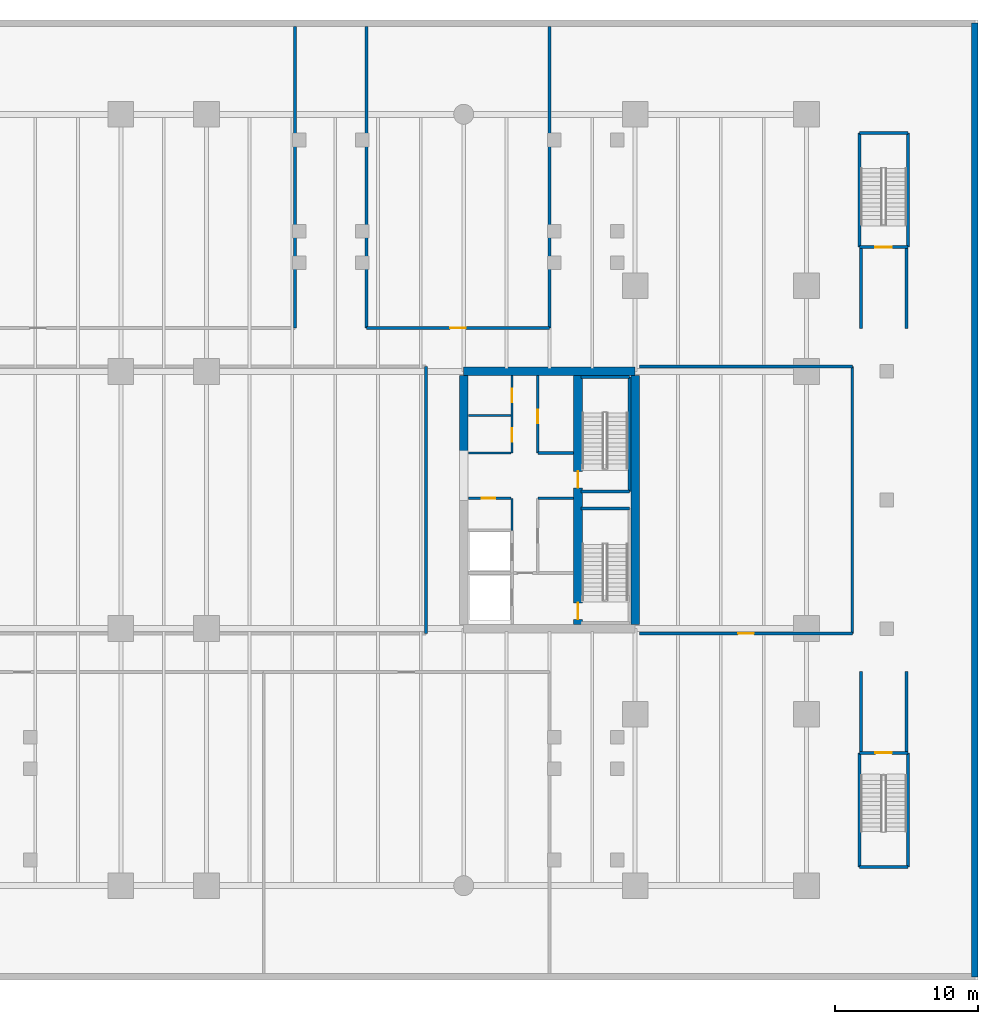
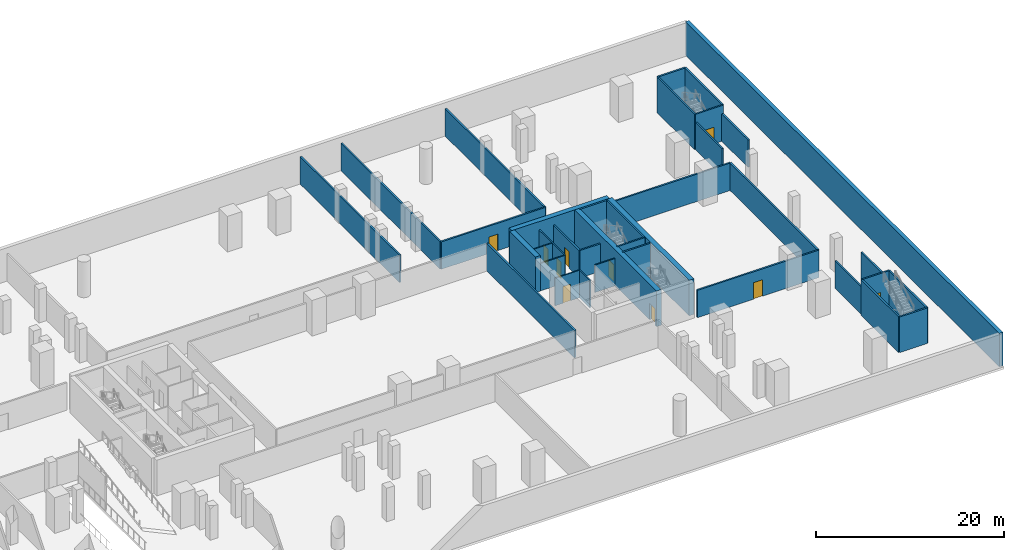
# One storey, part 8 of 13: 37 walls, 10 doors, 10 openings.
"""IFC4 building model written with IfcOpenShell, lengths in metres."""

from ifc_helpers import new_model, si_unit, direction, frame, frame_2d, origin, place, context, subcontext, project, spatial, rectangle, extrude, material, layer, layer_set, type_object, element, fill, save


model = new_model("IFC4")

# Units and contexts
model_context = context("Model", 3, precision=1e-05, world=origin(), true_north=direction((0.0, 1.0)))
body_context = subcontext(model_context, "Body", "Model", "MODEL_VIEW")
ifc_project = project(units=[si_unit("LENGTHUNIT", "METRE"), si_unit("AREAUNIT", "SQUARE_METRE"), si_unit("VOLUMEUNIT", "CUBIC_METRE"), si_unit("PLANEANGLEUNIT", "RADIAN"), si_unit("MASSUNIT", "GRAM", prefix="KILO")], contexts=[model_context])

# Site, building, storey
site_placement = place(None, origin())
site = spatial("IfcSite", under=ifc_project, at=site_placement, CompositionType="ELEMENT")
building_placement = place(site_placement, origin())
building = spatial("IfcBuilding", under=site, at=building_placement, Name="Tanjung Sevakor Pilgrim Tower", CompositionType="ELEMENT")
storey_placement = place(building_placement, frame((0.0, 0.0, -4.6201171875)))
storey = spatial("IfcBuildingStorey", under=building, at=storey_placement, Name="B01", CompositionType="ELEMENT", Elevation=-4.6201171875)

# Walls
ifc_material_1 = material(Name="Concrete C60/75", Category="concrete")
ifc_layer_1 = layer(ifc_material_1, 0.60009765625)
ifc_layer_set_1 = layer_set([ifc_layer_1], Name="WALL-CW-600B")
wall_type_1 = type_object("IfcWallType", Name="WALL-CW-600B", PredefinedType="SHEAR", material=ifc_layer_set_1)
wall_1_placement = place(storey_placement, frame((90.0, 42.60009765625, 0.0), z_axis=(0.0, 0.0, 1.0), x_axis=(-1.0, 0.0, 0.0)))
element("IfcWall", 1, at=wall_1_placement, inside=storey, type_object=wall_type_1, Name="B01 E Core North Shear Wall", PredefinedType="SHEAR", context=body_context, shape_type="SweptSolid", body=[
    extrude(rectangle(XDim=12.0, YDim=0.60009765625, at=frame_2d((6.0, 0.0))), origin(), (0.0, 0.0, 1.0), 4.6201171875),
])
wall_2_placement = place(storey_placement, frame((90.0, 24.89990234375, 0.0), z_axis=(0.0, 0.0, 1.0), x_axis=(0.0, 1.0, 0.0)))
element("IfcWall", 2, at=wall_2_placement, inside=storey, type_object=wall_type_1, Name="B01 E Core Outer Shear Wall", PredefinedType="SHEAR", context=body_context, shape_type="SweptSolid", body=[
    extrude(rectangle(XDim=17.400146484375, YDim=0.60009765625, at=frame_2d((8.7001953125, 0.0))), origin(), (0.0, 0.0, 1.0), 4.6201171875),
])
wall_3_placement = place(storey_placement, frame((78.0, 36.800048828125, 0.0), z_axis=(0.0, 0.0, 1.0), x_axis=(0.0, 1.0, 0.0)))
element("IfcWall", 3, at=wall_3_placement, inside=storey, type_object=wall_type_1, Name="B01 E Core Inner Shear Wall North", PredefinedType="SHEAR", context=body_context, shape_type="SweptSolid", body=[
    extrude(rectangle(XDim=5.5, YDim=0.60009765625, at=frame_2d((2.75, 0.0))), origin(), (0.0, 0.0, 1.0), 4.6201171875),
])

# Wall, openings, doors
wall_4_placement = place(storey_placement, frame((86.0, 24.89990234375, 0.0), z_axis=(0.0, 0.0, 1.0), x_axis=(0.0, 1.0, 0.0)))
wall_4 = element("IfcWall", 4, at=wall_4_placement, inside=storey, type_object=wall_type_1, Name="B01 E Core Stair Spine Wall", PredefinedType="SHEAR", context=body_context, shape_type="SweptSolid", body=[
    extrude(rectangle(XDim=17.400146484375, YDim=0.60009765625, at=frame_2d((8.7001953125, 0.0))), origin(), (0.0, 0.0, 1.0), 4.6201171875),
])
opening_1_placement = place(wall_4_placement, frame((0.35009765625, 0.0, 0.0)))
opening_1 = element("IfcOpeningElement", 5, at=opening_1_placement, cuts=wall_4, Name="Opening ID-ST1", PredefinedType="OPENING", context=body_context, shape_type="SweptSolid", body=[
    extrude(rectangle(XDim=1.14990234375, YDim=2.14990234375, at=frame_2d((0.574951171875, 1.074951171875))), frame((0.0, 0.31005859375, 0.0), z_axis=(0.0, -1.0, 0.0), x_axis=(1.0, 0.0, 0.0)), (0.0, 0.0, 1.0), 0.6201171875),
])
opening_2_placement = place(wall_4_placement, frame((9.550048828125, 0.0, 0.0)))
opening_2 = element("IfcOpeningElement", 6, at=opening_2_placement, cuts=wall_4, Name="Opening ID-ST1", PredefinedType="OPENING", context=body_context, shape_type="SweptSolid", body=[
    extrude(rectangle(XDim=1.14990234375, YDim=2.14990234375, at=frame_2d((0.574951171875, 1.074951171875))), frame((0.0, 0.31005859375, 0.0), z_axis=(0.0, -1.0, 0.0), x_axis=(1.0, 0.0, 0.0)), (0.0, 0.0, 1.0), 0.6201171875),
])
ifc_material_2 = material(Name="Fire-Rated Steel S355J2", Category="steel")
door_type_1 = type_object("IfcDoorType", Name="DT-FIRE-1150", OperationType="NOTDEFINED", PredefinedType="DOOR", material=ifc_material_2)
door_1_placement = place(opening_1_placement, origin())
door_1 = element("IfcDoor", 7, at=door_1_placement, inside=storey, type_object=door_type_1, Name="B01 TS-E1 Stair Fire Door", OperationType="SINGLE_SWING_RIGHT", OverallHeight=2.14990234375, OverallWidth=1.14990234375, PredefinedType="DOOR", context=body_context, shape_type="SweptSolid", body=[
    extrude(rectangle(XDim=1.14990234375, YDim=2.14990234375, at=frame_2d((0.574951171875, 1.074951171875))), frame((0.0, 0.02490234375, 0.0), z_axis=(0.0, -1.0, 0.0), x_axis=(1.0, 0.0, 0.0)), (0.0, 0.0, 1.0), 0.050048828125),
])
fill(opening_1, door_1)
door_2_placement = place(opening_2_placement, origin())
door_2 = element("IfcDoor", 8, at=door_2_placement, inside=storey, type_object=door_type_1, Name="B01 TS-E2 Stair Fire Door", OperationType="SINGLE_SWING_LEFT", OverallHeight=2.14990234375, OverallWidth=1.14990234375, PredefinedType="DOOR", context=body_context, shape_type="SweptSolid", body=[
    extrude(rectangle(XDim=1.14990234375, YDim=2.14990234375, at=frame_2d((0.574951171875, 1.074951171875))), frame((0.0, 0.02490234375, 0.0), z_axis=(0.0, -1.0, 0.0), x_axis=(1.0, 0.0, 0.0)), (0.0, 0.0, 1.0), 0.050048828125),
])
fill(opening_2, door_2)

# Walls
ifc_material_3 = material(Name="Concrete C40/50", Category="concrete")
ifc_layer_2 = layer(ifc_material_3, 0.14990234375)
ifc_layer_set_2 = layer_set([ifc_layer_2], Name="WT-COMP-150")
wall_type_2 = type_object("IfcWallType", Name="WT-COMP-150", PredefinedType="SOLIDWALL", material=ifc_layer_set_2)
wall_5_placement = place(storey_placement, frame((83.199951171875, 33.719970703125, 0.0), z_axis=(0.0, 0.0, 1.0), x_axis=(1.0, 0.0, 0.0)))
element("IfcWall", 9, at=wall_5_placement, inside=storey, type_object=wall_type_2, Name="B01 Partition IW-B01-016", PredefinedType="SOLIDWALL", context=body_context, shape_type="SweptSolid", body=[
    extrude(rectangle(XDim=2.47998046875, YDim=0.14990234375, at=frame_2d((1.239990234375, 0.0))), origin(), (0.0, 0.0, 1.0), 3.56005859375),
])
wall_6_placement = place(storey_placement, frame((81.3798828125, 31.47998046875, 0.0), z_axis=(0.0, 0.0, 1.0), x_axis=(0.0, 1.0, 0.0)))
element("IfcWall", 10, at=wall_6_placement, inside=storey, type_object=wall_type_2, Name="B01 Partition IW-B01-020", PredefinedType="SOLIDWALL", context=body_context, shape_type="SweptSolid", body=[
    extrude(rectangle(XDim=2.239990234375, YDim=0.14990234375, at=frame_2d((1.1201171875, 0.0))), origin(), (0.0, 0.0, 1.0), 3.56005859375),
])

# Wall, opening, door
wall_7_placement = place(storey_placement, frame((78.320068359375, 33.719970703125, 0.0), z_axis=(0.0, 0.0, 1.0), x_axis=(1.0, 0.0, 0.0)))
wall_7 = element("IfcWall", 11, at=wall_7_placement, inside=storey, type_object=wall_type_2, Name="B01 Partition IW-B01-021", PredefinedType="SOLIDWALL", context=body_context, shape_type="SweptSolid", body=[
    extrude(rectangle(XDim=3.0, YDim=0.14990234375, at=frame_2d((1.5, 0.0))), origin(), (0.0, 0.0, 1.0), 3.56005859375),
])
opening_3_placement = place(wall_7_placement, frame((0.949951171875, 0.0, 0.0)))
opening_3 = element("IfcOpeningElement", 12, at=opening_3_placement, cuts=wall_7, Name="Opening ID-FD2", PredefinedType="OPENING", context=body_context, shape_type="SweptSolid", body=[
    extrude(rectangle(XDim=0.949951171875, YDim=2.14990234375, at=frame_2d((0.47509765625, 1.074951171875))), frame((0.0, 0.0849609375, 0.0), z_axis=(0.0, -1.0, 0.0), x_axis=(1.0, 0.0, 0.0)), (0.0, 0.0, 1.0), 0.169921875),
])
ifc_material_4 = material(Name="Fire-Rated Timber", Category="wood")
door_type_2 = type_object("IfcDoorType", Name="DT-FIRE-950", OperationType="NOTDEFINED", PredefinedType="DOOR", material=ifc_material_4)
door_3_placement = place(opening_3_placement, origin())
door_3 = element("IfcDoor", 13, at=door_3_placement, inside=storey, type_object=door_type_2, Name="B01 Accessible WC Door", OperationType="SINGLE_SWING_LEFT", OverallHeight=2.14990234375, OverallWidth=0.949951171875, PredefinedType="DOOR", context=body_context, shape_type="SweptSolid", body=[
    extrude(rectangle(XDim=0.949951171875, YDim=2.14990234375, at=frame_2d((0.47509765625, 1.074951171875))), frame((0.0, 0.02490234375, 0.0), z_axis=(0.0, -1.0, 0.0), x_axis=(1.0, 0.0, 0.0)), (0.0, 0.0, 1.0), 0.050048828125),
])
fill(opening_3, door_3)

# Walls
for number, where, z_axis, x_axis, name in (
    (14, (78.320068359375, 36.8798828125, 0.0), (0.0, 0.0, 1.0), (1.0, 0.0, 0.0), "B01 Partition IW-B01-024"),
    (15, (78.320068359375, 39.52001953125, 0.0), (0.0, 0.0, 1.0), (1.0, 0.0, 0.0), "B01 Partition IW-B01-025"),
):
    element("IfcWall", number, at=place(storey_placement, frame(where, z_axis=z_axis, x_axis=x_axis)), inside=storey, type_object=wall_type_2, Name=name, PredefinedType="SOLIDWALL", context=body_context, shape_type="SweptSolid", body=[
        extrude(rectangle(XDim=3.0, YDim=0.14990234375, at=frame_2d((1.5, 0.0))), origin(), (0.0, 0.0, 1.0), 3.56005859375),
    ])

# Wall, openings, doors
wall_8_placement = place(storey_placement, frame((81.3798828125, 36.8798828125, 0.0), z_axis=(0.0, 0.0, 1.0), x_axis=(0.0, 1.0, 0.0)))
wall_8 = element("IfcWall", 16, at=wall_8_placement, inside=storey, type_object=wall_type_2, Name="B01 Partition IW-B01-026", PredefinedType="SOLIDWALL", context=body_context, shape_type="SweptSolid", body=[
    extrude(rectangle(XDim=5.420166015625, YDim=0.14990234375, at=frame_2d((2.7099609375, 0.0))), origin(), (0.0, 0.0, 1.0), 3.56005859375),
])
opening_4_placement = place(wall_8_placement, frame((0.800048828125, 0.0, 0.0)))
opening_4 = element("IfcOpeningElement", 17, at=opening_4_placement, cuts=wall_8, Name="Opening ID-FD2", PredefinedType="OPENING", context=body_context, shape_type="SweptSolid", body=[
    extrude(rectangle(XDim=0.949951171875, YDim=2.14990234375, at=frame_2d((0.47509765625, 1.074951171875))), frame((0.0, 0.0849609375, 0.0), z_axis=(0.0, -1.0, 0.0), x_axis=(1.0, 0.0, 0.0)), (0.0, 0.0, 1.0), 0.169921875),
])
opening_5_placement = place(wall_8_placement, frame((3.550048828125, 0.0, 0.0)))
opening_5 = element("IfcOpeningElement", 18, at=opening_5_placement, cuts=wall_8, Name="Opening ID-FD2", PredefinedType="OPENING", context=body_context, shape_type="SweptSolid", body=[
    extrude(rectangle(XDim=0.949951171875, YDim=2.14990234375, at=frame_2d((0.47509765625, 1.074951171875))), frame((0.0, 0.0849609375, 0.0), z_axis=(0.0, -1.0, 0.0), x_axis=(1.0, 0.0, 0.0)), (0.0, 0.0, 1.0), 0.169921875),
])
door_4_placement = place(opening_4_placement, origin())
door_4 = element("IfcDoor", 19, at=door_4_placement, inside=storey, type_object=door_type_2, Name="B01 Public Male WC Door", OperationType="SINGLE_SWING_LEFT", OverallHeight=2.14990234375, OverallWidth=0.949951171875, PredefinedType="DOOR", context=body_context, shape_type="SweptSolid", body=[
    extrude(rectangle(XDim=0.949951171875, YDim=2.14990234375, at=frame_2d((0.47509765625, 1.074951171875))), frame((0.0, 0.02490234375, 0.0), z_axis=(0.0, -1.0, 0.0), x_axis=(1.0, 0.0, 0.0)), (0.0, 0.0, 1.0), 0.050048828125),
])
fill(opening_4, door_4)
door_5_placement = place(opening_5_placement, origin())
door_5 = element("IfcDoor", 20, at=door_5_placement, inside=storey, type_object=door_type_2, Name="B01 Public Female WC Door", OperationType="SINGLE_SWING_RIGHT", OverallHeight=2.14990234375, OverallWidth=0.949951171875, PredefinedType="DOOR", context=body_context, shape_type="SweptSolid", body=[
    extrude(rectangle(XDim=0.949951171875, YDim=2.14990234375, at=frame_2d((0.47509765625, 1.074951171875))), frame((0.0, 0.02490234375, 0.0), z_axis=(0.0, -1.0, 0.0), x_axis=(1.0, 0.0, 0.0)), (0.0, 0.0, 1.0), 0.050048828125),
])
fill(opening_5, door_5)

# Walls
ifc_material_5 = material(Name="Concrete C40/50", Category="concrete")
ifc_layer_3 = layer(ifc_material_5, 0.199951171875)
ifc_layer_set_3 = layer_set([ifc_layer_3], Name="WT-FIRE-200")
wall_type_3 = type_object("IfcWallType", Name="WT-FIRE-200", PredefinedType="SOLIDWALL", material=ifc_layer_set_3)
for number, where, z_axis, x_axis, name in (
    (21, (89.60009765625, 33.0, 0.0), (0.0, 0.0, 1.0), (-1.0, 0.0, 0.0), "B01 TS-E1 Shaft Wall 3"),
    (22, (86.199951171875, 34.199951171875, 0.0), (0.0, 0.0, 1.0), (1.0, 0.0, 0.0), "B01 TS-E2 Shaft Wall 1"),
):
    element("IfcWall", number, at=place(storey_placement, frame(where, z_axis=z_axis, x_axis=x_axis)), inside=storey, type_object=wall_type_3, Name=name, PredefinedType="SOLIDWALL", context=body_context, shape_type="SweptSolid", body=[
        extrude(rectangle(XDim=3.400146484375, YDim=0.199951171875, at=frame_2d((1.7001953125, 0.0))), origin(), (0.0, 0.0, 1.0), 4.6201171875),
    ])
wall_9_placement = place(storey_placement, frame((89.60009765625, 34.199951171875, 0.0), z_axis=(0.0, 0.0, 1.0), x_axis=(0.0, 1.0, 0.0)))
element("IfcWall", 23, at=wall_9_placement, inside=storey, type_object=wall_type_3, Name="B01 TS-E2 Shaft Wall 2", PredefinedType="SOLIDWALL", context=body_context, shape_type="SweptSolid", body=[
    extrude(rectangle(XDim=8.0, YDim=0.199951171875, at=frame_2d((4.0, 0.0))), origin(), (0.0, 0.0, 1.0), 4.6201171875),
])
for number, where, z_axis, x_axis, name in (
    (24, (89.60009765625, 42.199951171875, 0.0), (0.0, 0.0, 1.0), (-1.0, 0.0, 0.0), "B01 TS-E2 Shaft Wall 3"),
    (25, (105.699951171875, 7.89990234375, 0.0), (0.0, 0.0, 1.0), (1.0, 0.0, 0.0), "B01 BS-3 Shaft Wall 1"),
):
    element("IfcWall", number, at=place(storey_placement, frame(where, z_axis=z_axis, x_axis=x_axis)), inside=storey, type_object=wall_type_3, Name=name, PredefinedType="SOLIDWALL", context=body_context, shape_type="SweptSolid", body=[
        extrude(rectangle(XDim=3.400146484375, YDim=0.199951171875, at=frame_2d((1.7001953125, 0.0))), origin(), (0.0, 0.0, 1.0), 4.6201171875),
    ])
wall_10_placement = place(storey_placement, frame((109.10009765625, 7.89990234375, 0.0), z_axis=(0.0, 0.0, 1.0), x_axis=(0.0, 1.0, 0.0)))
element("IfcWall", 26, at=wall_10_placement, inside=storey, type_object=wall_type_3, Name="B01 BS-3 Shaft Wall 2", PredefinedType="SOLIDWALL", context=body_context, shape_type="SweptSolid", body=[
    extrude(rectangle(XDim=8.0, YDim=0.199951171875, at=frame_2d((4.0, 0.0))), origin(), (0.0, 0.0, 1.0), 4.6201171875),
])

# Wall, opening, door
wall_11_placement = place(storey_placement, frame((109.10009765625, 15.89990234375, 0.0), z_axis=(0.0, 0.0, 1.0), x_axis=(-1.0, 0.0, 0.0)))
wall_11 = element("IfcWall", 27, at=wall_11_placement, inside=storey, type_object=wall_type_3, Name="B01 BS-3 Shaft Wall 3", PredefinedType="SOLIDWALL", context=body_context, shape_type="SweptSolid", body=[
    extrude(rectangle(XDim=3.400146484375, YDim=0.199951171875, at=frame_2d((1.7001953125, 0.0))), origin(), (0.0, 0.0, 1.0), 4.6201171875),
])
opening_6_placement = place(wall_11_placement, frame((1.125, 0.0, 0.0)))
opening_6 = element("IfcOpeningElement", 28, at=opening_6_placement, cuts=wall_11, Name="Opening ID-ST1", PredefinedType="OPENING", context=body_context, shape_type="SweptSolid", body=[
    extrude(rectangle(XDim=1.14990234375, YDim=2.14990234375, at=frame_2d((0.574951171875, 1.074951171875))), frame((0.0, 0.10986328125, 0.0), z_axis=(0.0, -1.0, 0.0), x_axis=(1.0, 0.0, 0.0)), (0.0, 0.0, 1.0), 0.219970703125),
])
door_6_placement = place(opening_6_placement, origin())
door_6 = element("IfcDoor", 29, at=door_6_placement, inside=storey, type_object=door_type_1, Name="B01 BS-3 Stair Entry Fire Door", OperationType="SINGLE_SWING_RIGHT", OverallHeight=2.14990234375, OverallWidth=1.14990234375, PredefinedType="DOOR", context=body_context, shape_type="SweptSolid", body=[
    extrude(rectangle(XDim=1.14990234375, YDim=2.14990234375, at=frame_2d((0.574951171875, 1.074951171875))), frame((0.0, 0.02490234375, 0.0), z_axis=(0.0, -1.0, 0.0), x_axis=(1.0, 0.0, 0.0)), (0.0, 0.0, 1.0), 0.050048828125),
])
fill(opening_6, door_6)

# Wall
wall_12_placement = place(storey_placement, frame((105.699951171875, 15.89990234375, 0.0), z_axis=(0.0, 0.0, 1.0), x_axis=(0.0, -1.0, 0.0)))
element("IfcWall", 30, at=wall_12_placement, inside=storey, type_object=wall_type_3, Name="B01 BS-3 Shaft Wall 4", PredefinedType="SOLIDWALL", context=body_context, shape_type="SweptSolid", body=[
    extrude(rectangle(XDim=8.0, YDim=0.199951171875, at=frame_2d((4.0, 0.0))), origin(), (0.0, 0.0, 1.0), 4.6201171875),
])

# Wall, opening, door
wall_13_placement = place(storey_placement, frame((105.699951171875, 51.300048828125, 0.0), z_axis=(0.0, 0.0, 1.0), x_axis=(1.0, 0.0, 0.0)))
wall_13 = element("IfcWall", 31, at=wall_13_placement, inside=storey, type_object=wall_type_3, Name="B01 BS-4 Shaft Wall 1", PredefinedType="SOLIDWALL", context=body_context, shape_type="SweptSolid", body=[
    extrude(rectangle(XDim=3.400146484375, YDim=0.199951171875, at=frame_2d((1.7001953125, 0.0))), origin(), (0.0, 0.0, 1.0), 4.6201171875),
])
opening_7_placement = place(wall_13_placement, frame((1.125, 0.0, 0.0)))
opening_7 = element("IfcOpeningElement", 32, at=opening_7_placement, cuts=wall_13, Name="Opening ID-ST1", PredefinedType="OPENING", context=body_context, shape_type="SweptSolid", body=[
    extrude(rectangle(XDim=1.14990234375, YDim=2.14990234375, at=frame_2d((0.574951171875, 1.074951171875))), frame((0.0, 0.10986328125, 0.0), z_axis=(0.0, -1.0, 0.0), x_axis=(1.0, 0.0, 0.0)), (0.0, 0.0, 1.0), 0.219970703125),
])
door_7_placement = place(opening_7_placement, origin())
door_7 = element("IfcDoor", 33, at=door_7_placement, inside=storey, type_object=door_type_1, Name="B01 BS-4 Stair Entry Fire Door", OperationType="SINGLE_SWING_LEFT", OverallHeight=2.14990234375, OverallWidth=1.14990234375, PredefinedType="DOOR", context=body_context, shape_type="SweptSolid", body=[
    extrude(rectangle(XDim=1.14990234375, YDim=2.14990234375, at=frame_2d((0.574951171875, 1.074951171875))), frame((0.0, 0.02490234375, 0.0), z_axis=(0.0, -1.0, 0.0), x_axis=(1.0, 0.0, 0.0)), (0.0, 0.0, 1.0), 0.050048828125),
])
fill(opening_7, door_7)

# Walls
wall_14_placement = place(storey_placement, frame((109.10009765625, 51.300048828125, 0.0), z_axis=(0.0, 0.0, 1.0), x_axis=(0.0, 1.0, 0.0)))
element("IfcWall", 34, at=wall_14_placement, inside=storey, type_object=wall_type_3, Name="B01 BS-4 Shaft Wall 2", PredefinedType="SOLIDWALL", context=body_context, shape_type="SweptSolid", body=[
    extrude(rectangle(XDim=8.0, YDim=0.199951171875, at=frame_2d((4.0, 0.0))), origin(), (0.0, 0.0, 1.0), 4.6201171875),
])
wall_15_placement = place(storey_placement, frame((109.10009765625, 59.300048828125, 0.0), z_axis=(0.0, 0.0, 1.0), x_axis=(-1.0, 0.0, 0.0)))
element("IfcWall", 35, at=wall_15_placement, inside=storey, type_object=wall_type_3, Name="B01 BS-4 Shaft Wall 3", PredefinedType="SOLIDWALL", context=body_context, shape_type="SweptSolid", body=[
    extrude(rectangle(XDim=3.400146484375, YDim=0.199951171875, at=frame_2d((1.7001953125, 0.0))), origin(), (0.0, 0.0, 1.0), 4.6201171875),
])
wall_16_placement = place(storey_placement, frame((105.699951171875, 59.300048828125, 0.0), z_axis=(0.0, 0.0, 1.0), x_axis=(0.0, -1.0, 0.0)))
element("IfcWall", 36, at=wall_16_placement, inside=storey, type_object=wall_type_3, Name="B01 BS-4 Shaft Wall 4", PredefinedType="SOLIDWALL", context=body_context, shape_type="SweptSolid", body=[
    extrude(rectangle(XDim=8.0, YDim=0.199951171875, at=frame_2d((4.0, 0.0))), origin(), (0.0, 0.0, 1.0), 4.6201171875),
])
ifc_material_6 = material(Name="Concrete C40/50", Category="concrete")
ifc_layer_4 = layer(ifc_material_6, 0.199951171875)
ifc_layer_set_4 = layer_set([ifc_layer_4], Name="WT-FPRT-200")
wall_type_4 = type_object("IfcWallType", Name="WT-FPRT-200", PredefinedType="SOLIDWALL", material=ifc_layer_set_4)
wall_17_placement = place(storey_placement, frame((83.199951171875, 36.8798828125, 0.0), z_axis=(0.0, 0.0, 1.0), x_axis=(1.0, 0.0, 0.0)))
element("IfcWall", 37, at=wall_17_placement, inside=storey, type_object=wall_type_4, Name="B01 Partition IW-B01-022", PredefinedType="SOLIDWALL", context=body_context, shape_type="SweptSolid", body=[
    extrude(rectangle(XDim=2.47998046875, YDim=0.199951171875, at=frame_2d((1.239990234375, 0.0))), origin(), (0.0, 0.0, 1.0), 3.56005859375),
])

# Wall, opening, door
wall_18_placement = place(storey_placement, frame((83.179931640625, 36.8798828125, 0.0), z_axis=(0.0, 0.0, 1.0), x_axis=(0.0, 1.0, 0.0)))
wall_18 = element("IfcWall", 38, at=wall_18_placement, inside=storey, type_object=wall_type_4, Name="B01 Partition IW-B01-023", PredefinedType="SOLIDWALL", context=body_context, shape_type="SweptSolid", body=[
    extrude(rectangle(XDim=5.420166015625, YDim=0.199951171875, at=frame_2d((2.7099609375, 0.0))), origin(), (0.0, 0.0, 1.0), 3.56005859375),
])
opening_8_placement = place(wall_18_placement, frame((2.10009765625, 0.0, 0.0)))
opening_8 = element("IfcOpeningElement", 39, at=opening_8_placement, cuts=wall_18, Name="Opening ID-FD2", PredefinedType="OPENING", context=body_context, shape_type="SweptSolid", body=[
    extrude(rectangle(XDim=0.949951171875, YDim=2.14990234375, at=frame_2d((0.47509765625, 1.074951171875))), frame((0.0, 0.10986328125, 0.0), z_axis=(0.0, -1.0, 0.0), x_axis=(1.0, 0.0, 0.0)), (0.0, 0.0, 1.0), 0.219970703125),
])
door_8_placement = place(opening_8_placement, origin())
door_8 = element("IfcDoor", 40, at=door_8_placement, inside=storey, type_object=door_type_2, Name="B01 Electrical Riser Door", OperationType="SINGLE_SWING_RIGHT", OverallHeight=2.14990234375, OverallWidth=0.949951171875, PredefinedType="DOOR", context=body_context, shape_type="SweptSolid", body=[
    extrude(rectangle(XDim=0.949951171875, YDim=2.14990234375, at=frame_2d((0.47509765625, 1.074951171875))), frame((0.0, 0.02490234375, 0.0), z_axis=(0.0, -1.0, 0.0), x_axis=(1.0, 0.0, 0.0)), (0.0, 0.0, 1.0), 0.050048828125),
])
fill(opening_8, door_8)

# Walls
for number, where, z_axis, x_axis, name in (
    (41, (105.800048828125, 15.89990234375, 0.0), (0.0, 0.0, 1.0), (0.0, 1.0, 0.0), "B01 Partition IW-B01-029"),
    (42, (109.0, 15.89990234375, 0.0), (0.0, 0.0, 1.0), (0.0, 1.0, 0.0), "B01 Partition IW-B01-030"),
):
    element("IfcWall", number, at=place(storey_placement, frame(where, z_axis=z_axis, x_axis=x_axis)), inside=storey, type_object=wall_type_4, Name=name, PredefinedType="SOLIDWALL", context=body_context, shape_type="SweptSolid", body=[
        extrude(rectangle(XDim=5.7001953125, YDim=0.199951171875, at=frame_2d((2.85009765625, 0.0))), origin(), (0.0, 0.0, 1.0), 3.56005859375),
    ])
for number, where, z_axis, x_axis, name in (
    (43, (105.800048828125, 45.60009765625, 0.0), (0.0, 0.0, 1.0), (0.0, 1.0, 0.0), "B01 Partition IW-B01-031"),
    (44, (109.0, 45.60009765625, 0.0), (0.0, 0.0, 1.0), (0.0, 1.0, 0.0), "B01 Partition IW-B01-032"),
):
    element("IfcWall", number, at=place(storey_placement, frame(where, z_axis=z_axis, x_axis=x_axis)), inside=storey, type_object=wall_type_4, Name=name, PredefinedType="SOLIDWALL", context=body_context, shape_type="SweptSolid", body=[
        extrude(rectangle(XDim=5.699951171875, YDim=0.199951171875, at=frame_2d((2.85009765625, 0.0))), origin(), (0.0, 0.0, 1.0), 3.56005859375),
    ])

# Wall, opening, door
wall_19_placement = place(storey_placement, frame((90.320068359375, 24.25, 0.0), z_axis=(0.0, 0.0, 1.0), x_axis=(1.0, 0.0, 0.0)))
wall_19 = element("IfcWall", 45, at=wall_19_placement, inside=storey, type_object=wall_type_4, Name="B01 Partition IW-B01-042", PredefinedType="SOLIDWALL", context=body_context, shape_type="SweptSolid", body=[
    extrude(rectangle(XDim=14.8798828125, YDim=0.199951171875, at=frame_2d((7.43994140625, 0.0))), origin(), (0.0, 0.0, 1.0), 3.56005859375),
])
opening_9_placement = place(wall_19_placement, frame((6.889892578125, 0.0, 0.0)))
opening_9 = element("IfcOpeningElement", 46, at=opening_9_placement, cuts=wall_19, Name="Opening ID-FD0", PredefinedType="OPENING", context=body_context, shape_type="SweptSolid", body=[
    extrude(rectangle(XDim=1.10009765625, YDim=2.14990234375, at=frame_2d((0.550048828125, 1.074951171875))), frame((0.0, 0.10986328125, 0.0), z_axis=(0.0, -1.0, 0.0), x_axis=(1.0, 0.0, 0.0)), (0.0, 0.0, 1.0), 0.219970703125),
])
ifc_material_7 = material(Name="Fire-Rated Steel S355J2", Category="steel")
door_type_3 = type_object("IfcDoorType", Name="DT-FIRE-1100", OperationType="NOTDEFINED", PredefinedType="DOOR", material=ifc_material_7)
door_9_placement = place(opening_9_placement, origin())
door_9 = element("IfcDoor", 47, at=door_9_placement, inside=storey, type_object=door_type_3, Name="B01 Generator Room Door", OperationType="SINGLE_SWING_RIGHT", OverallHeight=2.14990234375, OverallWidth=1.10009765625, PredefinedType="DOOR", context=body_context, shape_type="SweptSolid", body=[
    extrude(rectangle(XDim=1.10009765625, YDim=2.14990234375, at=frame_2d((0.550048828125, 1.074951171875))), frame((0.0, 0.02490234375, 0.0), z_axis=(0.0, -1.0, 0.0), x_axis=(1.0, 0.0, 0.0)), (0.0, 0.0, 1.0), 0.050048828125),
])
fill(opening_9, door_9)

# Walls
wall_20_placement = place(storey_placement, frame((90.320068359375, 42.949951171875, 0.0), z_axis=(0.0, 0.0, 1.0), x_axis=(1.0, 0.0, 0.0)))
element("IfcWall", 48, at=wall_20_placement, inside=storey, type_object=wall_type_4, Name="B01 Partition IW-B01-043", PredefinedType="SOLIDWALL", context=body_context, shape_type="SweptSolid", body=[
    extrude(rectangle(XDim=14.8798828125, YDim=0.199951171875, at=frame_2d((7.43994140625, 0.0))), origin(), (0.0, 0.0, 1.0), 3.56005859375),
])
for number, where, z_axis, x_axis, name in (
    (49, (105.199951171875, 24.25, 0.0), (0.0, 0.0, 1.0), (0.0, 1.0, 0.0), "B01 Partition IW-B01-044"),
    (50, (75.35009765625, 24.25, 0.0), (0.0, 0.0, 1.0), (0.0, 1.0, 0.0), "B01 Partition IW-B01-048"),
):
    element("IfcWall", number, at=place(storey_placement, frame(where, z_axis=z_axis, x_axis=x_axis)), inside=storey, type_object=wall_type_4, Name=name, PredefinedType="SOLIDWALL", context=body_context, shape_type="SweptSolid", body=[
        extrude(rectangle(XDim=18.699951171875, YDim=0.199951171875, at=frame_2d((9.35009765625, 0.0))), origin(), (0.0, 0.0, 1.0), 3.56005859375),
    ])
wall_21_placement = place(storey_placement, frame((66.199951171875, 45.64990234375, 0.0), z_axis=(0.0, 0.0, 1.0), x_axis=(0.0, 1.0, 0.0)))
element("IfcWall", 51, at=wall_21_placement, inside=storey, type_object=wall_type_4, Name="B01 Partition IW-B01-051", PredefinedType="SOLIDWALL", context=body_context, shape_type="SweptSolid", body=[
    extrude(rectangle(XDim=21.10009765625, YDim=0.199951171875, at=frame_2d((10.550048828125, 0.0))), origin(), (0.0, 0.0, 1.0), 3.56005859375),
])

# Wall, opening, door
wall_22_placement = place(storey_placement, frame((71.199951171875, 45.64990234375, 0.0), z_axis=(0.0, 0.0, 1.0), x_axis=(1.0, 0.0, 0.0)))
wall_22 = element("IfcWall", 52, at=wall_22_placement, inside=storey, type_object=wall_type_4, Name="B01 Partition IW-B01-052", PredefinedType="SOLIDWALL", context=body_context, shape_type="SweptSolid", body=[
    extrude(rectangle(XDim=12.800048828125, YDim=0.199951171875, at=frame_2d((6.39990234375, 0.0))), origin(), (0.0, 0.0, 1.0), 3.56005859375),
])
opening_10_placement = place(wall_22_placement, frame((5.85009765625, 0.0, 0.0)))
opening_10 = element("IfcOpeningElement", 53, at=opening_10_placement, cuts=wall_22, Name="Opening ID-FD0", PredefinedType="OPENING", context=body_context, shape_type="SweptSolid", body=[
    extrude(rectangle(XDim=1.10009765625, YDim=2.14990234375, at=frame_2d((0.550048828125, 1.074951171875))), frame((0.0, 0.10986328125, 0.0), z_axis=(0.0, -1.0, 0.0), x_axis=(1.0, 0.0, 0.0)), (0.0, 0.0, 1.0), 0.219970703125),
])
door_10_placement = place(opening_10_placement, origin())
door_10 = element("IfcDoor", 54, at=door_10_placement, inside=storey, type_object=door_type_3, Name="B01 Refuse Room Door", OperationType="SINGLE_SWING_LEFT", OverallHeight=2.14990234375, OverallWidth=1.10009765625, PredefinedType="DOOR", context=body_context, shape_type="SweptSolid", body=[
    extrude(rectangle(XDim=1.10009765625, YDim=2.14990234375, at=frame_2d((0.550048828125, 1.074951171875))), frame((0.0, 0.02490234375, 0.0), z_axis=(0.0, -1.0, 0.0), x_axis=(1.0, 0.0, 0.0)), (0.0, 0.0, 1.0), 0.050048828125),
])
fill(opening_10, door_10)

# Walls
for number, where, z_axis, x_axis, name in (
    (55, (71.199951171875, 45.64990234375, 0.0), (0.0, 0.0, 1.0), (0.0, 1.0, 0.0), "B01 Partition IW-B01-053"),
    (56, (84.0, 45.64990234375, 0.0), (0.0, 0.0, 1.0), (0.0, 1.0, 0.0), "B01 Partition IW-B01-054"),
):
    element("IfcWall", number, at=place(storey_placement, frame(where, z_axis=z_axis, x_axis=x_axis)), inside=storey, type_object=wall_type_4, Name=name, PredefinedType="SOLIDWALL", context=body_context, shape_type="SweptSolid", body=[
        extrude(rectangle(XDim=21.10009765625, YDim=0.199951171875, at=frame_2d((10.550048828125, 0.0))), origin(), (0.0, 0.0, 1.0), 3.56005859375),
    ])
ifc_material_8 = material(Name="Concrete C50/60", Category="concrete")
ifc_layer_5 = layer(ifc_material_8, 0.449951171875)
ifc_layer_set_5 = layer_set([ifc_layer_5], Name="WT-RET-450")
wall_type_5 = type_object("IfcWallType", Name="WT-RET-450", PredefinedType="USERDEFINED", material=ifc_layer_set_5)
wall_23_placement = place(storey_placement, frame((113.77490234375, 0.22509765625, 0.0), z_axis=(0.0, 0.0, 1.0), x_axis=(0.0, 1.0, 0.0)))
element("IfcWall", 57, at=wall_23_placement, inside=storey, type_object=wall_type_5, Name="B01 Perimeter Retaining Wall 2", ObjectType="RETAININGWALL", PredefinedType="USERDEFINED", context=body_context, shape_type="SweptSolid", body=[
    extrude(rectangle(XDim=66.75, YDim=0.449951171875, at=frame_2d((33.375, 0.0))), origin(), (0.0, 0.0, 1.0), 4.340087890625),
])

save(model, "model.ifc")
